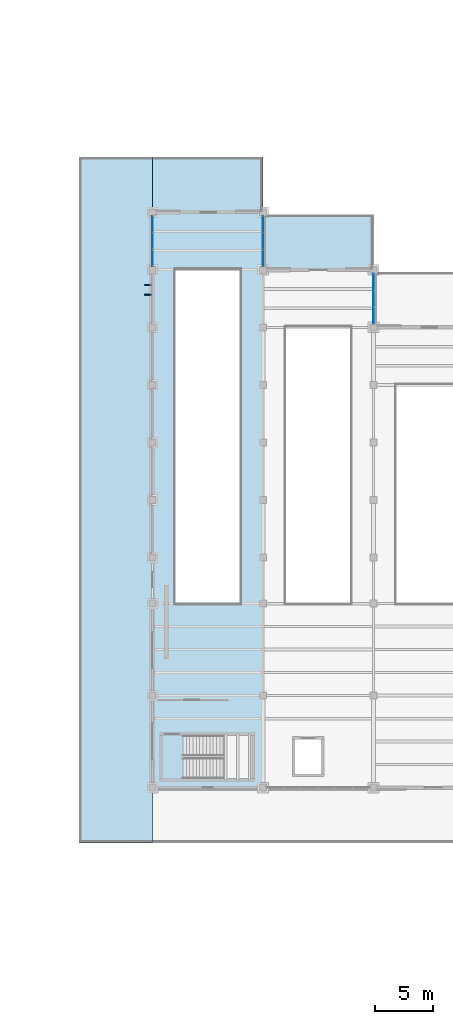
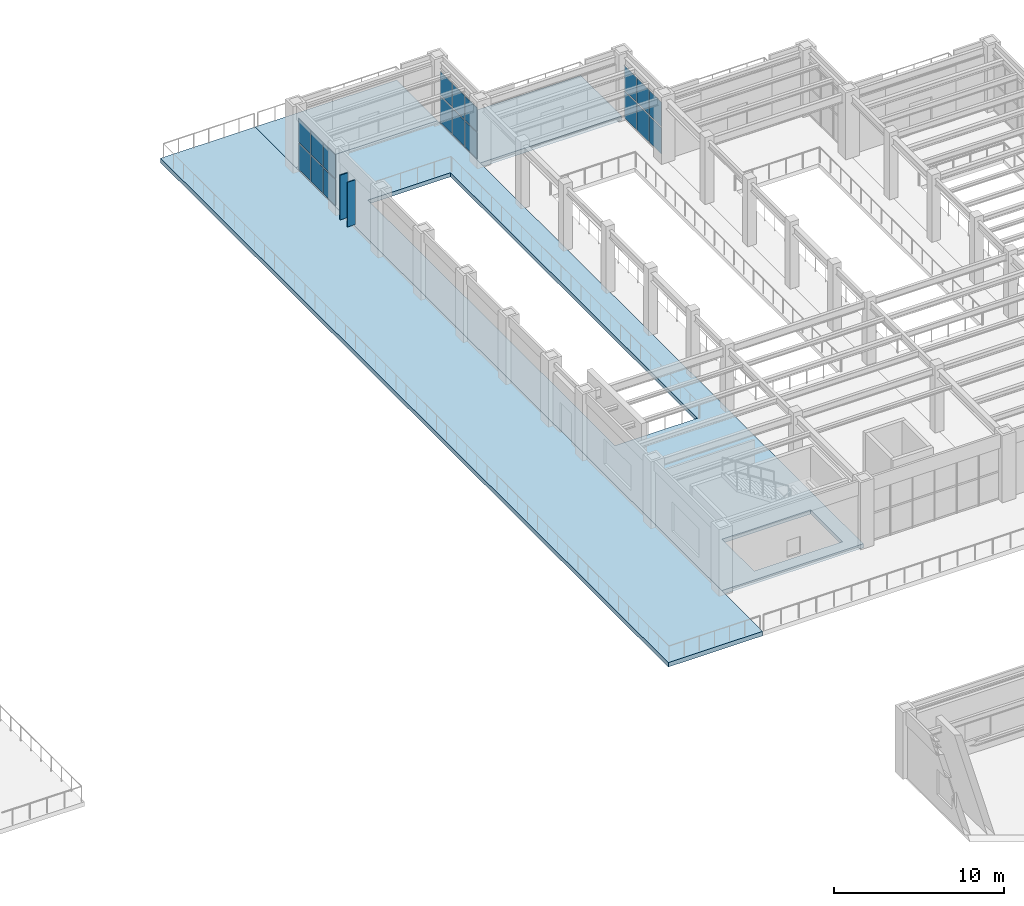
# One storey, part 52 of 83: 20 plates, 4 slabs, 3 elements without a shape of their own.
"""IFC4 building model written with IfcOpenShell, lengths in metres."""

from ifc_helpers import new_model, si_unit, direction, frame, origin, origin_2d, place, context, subcontext, project, spatial, polyline, rectangle, outline, extrude, material, layer, layer_set, type_object, element, aggregate, save


model = new_model("IFC4")

# Units and contexts
model_context = context("Model", 3, precision=1e-05, world=origin(), true_north=direction((0.0, 1.0)))
body_context = subcontext(model_context, "Body", "Model", "MODEL_VIEW")
ifc_project = project(units=[si_unit("LENGTHUNIT", "METRE"), si_unit("AREAUNIT", "SQUARE_METRE"), si_unit("VOLUMEUNIT", "CUBIC_METRE"), si_unit("PLANEANGLEUNIT", "RADIAN"), si_unit("MASSUNIT", "GRAM", prefix="KILO")], contexts=[model_context])

# Site, building, storey
site_placement = place(None, origin())
site = spatial("IfcSite", under=ifc_project, at=site_placement, CompositionType="ELEMENT")
building_placement = place(site_placement, origin())
building = spatial("IfcBuilding", under=site, at=building_placement, Name="Mavantir Sound Aquarium", CompositionType="ELEMENT")
storey_placement = place(building_placement, frame((0.0, 0.0, 10.5)))
storey = spatial("IfcBuildingStorey", under=building, at=storey_placement, Name="L02", CompositionType="ELEMENT", Elevation=10.5)

# Curtain wall, plates
ifc_material_1 = material(Name="Anodised Marine Aluminium and Low-E Glass", Category="aluminium")
curtain_wall_type_1 = type_object("IfcCurtainWallType", Name="CW-T11", PredefinedType="USERDEFINED", material=ifc_material_1)
curtain_wall_1_placement = place(storey_placement, origin())
curtain_wall_1 = element("IfcCurtainWall", 1, at=curtain_wall_1_placement, inside=storey, type_object=curtain_wall_type_1, Name="L02 unitised curtain wall CW-11 131", ObjectType="UNITISED GLAZING", PredefinedType="USERDEFINED")
ifc_material_2 = material(Name="Solar-Control Laminated Low-E Glass", Category="glass")
ifc_layer_1 = layer(ifc_material_2, 0.028076171875, Name="Solar-Control Laminated Low-E Glass")
ifc_layer_set_1 = layer_set([ifc_layer_1], Name="Solar-Control Laminated Low-E Glass")
plate_type_1 = type_object("IfcPlateType", Name="CW-PNL-28", PredefinedType="CURTAIN_PANEL", material=ifc_layer_set_1)
plate_1_placement = place(storey_placement, frame((127.199951171875, 81.838623046875, 0.10302734375), z_axis=(0.0, 0.0, 1.0), x_axis=(0.0, 1.0, 0.0)))
plate_1 = element("IfcPlate", 2, at=plate_1_placement, type_object=plate_type_1, Name="CW-L02-131 glazed curtain panel 1.1", PredefinedType="CURTAIN_PANEL", context=body_context, shape_type="SweptSolid", body=[
    extrude(rectangle(XDim=1.413330078125, YDim=0.028076171875, at=origin_2d()), origin(), (0.0, 0.0, 1.0), 1.88330078125),
])
plate_2_placement = place(storey_placement, frame((127.199951171875, 81.838623046875, 2.08203125), z_axis=(0.0, 0.0, 1.0), x_axis=(0.0, 1.0, 0.0)))
plate_2 = element("IfcPlate", 3, at=plate_2_placement, type_object=plate_type_1, Name="CW-L02-131 glazed curtain panel 1.2", PredefinedType="CURTAIN_PANEL", context=body_context, shape_type="SweptSolid", body=[
    extrude(rectangle(XDim=1.413330078125, YDim=0.028076171875, at=origin_2d()), origin(), (0.0, 0.0, 1.0), 1.726806640625),
])
plate_3_placement = place(storey_placement, frame((127.199951171875, 83.300048828125, 0.10302734375), z_axis=(0.0, 0.0, 1.0), x_axis=(0.0, 1.0, 0.0)))
plate_3 = element("IfcPlate", 4, at=plate_3_placement, type_object=plate_type_1, Name="CW-L02-131 glazed curtain panel 2.1", PredefinedType="CURTAIN_PANEL", context=body_context, shape_type="SweptSolid", body=[
    extrude(rectangle(XDim=1.413330078125, YDim=0.028076171875, at=origin_2d()), origin(), (0.0, 0.0, 1.0), 1.88330078125),
])
plate_4_placement = place(storey_placement, frame((127.199951171875, 83.300048828125, 2.08203125), z_axis=(0.0, 0.0, 1.0), x_axis=(0.0, 1.0, 0.0)))
plate_4 = element("IfcPlate", 5, at=plate_4_placement, type_object=plate_type_1, Name="CW-L02-131 glazed curtain panel 2.2", PredefinedType="CURTAIN_PANEL", context=body_context, shape_type="SweptSolid", body=[
    extrude(rectangle(XDim=1.413330078125, YDim=0.028076171875, at=origin_2d()), origin(), (0.0, 0.0, 1.0), 1.726806640625),
])
plate_5_placement = place(storey_placement, frame((127.199951171875, 84.76123046875, 0.10302734375), z_axis=(0.0, 0.0, 1.0), x_axis=(0.0, 1.0, 0.0)))
plate_5 = element("IfcPlate", 6, at=plate_5_placement, type_object=plate_type_1, Name="CW-L02-131 glazed curtain panel 3.1", PredefinedType="CURTAIN_PANEL", context=body_context, shape_type="SweptSolid", body=[
    extrude(rectangle(XDim=1.413330078125, YDim=0.028076171875, at=origin_2d()), origin(), (0.0, 0.0, 1.0), 1.88330078125),
])
plate_6_placement = place(storey_placement, frame((127.199951171875, 84.76123046875, 2.08203125), z_axis=(0.0, 0.0, 1.0), x_axis=(0.0, 1.0, 0.0)))
plate_6 = element("IfcPlate", 7, at=plate_6_placement, type_object=plate_type_1, Name="CW-L02-131 glazed curtain panel 3.2", PredefinedType="CURTAIN_PANEL", context=body_context, shape_type="SweptSolid", body=[
    extrude(rectangle(XDim=1.413330078125, YDim=0.028076171875, at=origin_2d()), origin(), (0.0, 0.0, 1.0), 1.726806640625),
])
aggregate(curtain_wall_1, [plate_1, plate_2, plate_3, plate_4, plate_5, plate_6])

curtain_wall_type_2 = type_object("IfcCurtainWallType", Name="CW-T13", PredefinedType="USERDEFINED", material=ifc_material_1)
curtain_wall_2_placement = place(storey_placement, origin())
curtain_wall_2 = element("IfcCurtainWall", 8, at=curtain_wall_2_placement, inside=storey, type_object=curtain_wall_type_2, Name="L02 unitised curtain wall CW-13 133", ObjectType="UNITISED GLAZING", PredefinedType="USERDEFINED")
plate_7_placement = place(storey_placement, frame((108.0, 89.76123046875, 0.10302734375), z_axis=(0.0, 0.0, 1.0), x_axis=(0.0, -1.0, 0.0)))
plate_7 = element("IfcPlate", 9, at=plate_7_placement, type_object=plate_type_1, Name="CW-L02-133 glazed curtain panel 1.1", PredefinedType="CURTAIN_PANEL", context=body_context, shape_type="SweptSolid", body=[
    extrude(rectangle(XDim=1.413330078125, YDim=0.028076171875, at=origin_2d()), origin(), (0.0, 0.0, 1.0), 1.847900390625),
])
plate_8_placement = place(storey_placement, frame((108.0, 89.76123046875, 2.046875), z_axis=(0.0, 0.0, 1.0), x_axis=(0.0, -1.0, 0.0)))
plate_8 = element("IfcPlate", 10, at=plate_8_placement, type_object=plate_type_1, Name="CW-L02-133 glazed curtain panel 1.2", PredefinedType="CURTAIN_PANEL", context=body_context, shape_type="SweptSolid", body=[
    extrude(rectangle(XDim=1.413330078125, YDim=0.028076171875, at=origin_2d()), origin(), (0.0, 0.0, 1.0), 1.694091796875),
])
plate_9_placement = place(storey_placement, frame((108.0, 88.300048828125, 0.10302734375), z_axis=(0.0, 0.0, 1.0), x_axis=(0.0, -1.0, 0.0)))
plate_9 = element("IfcPlate", 11, at=plate_9_placement, type_object=plate_type_1, Name="CW-L02-133 glazed curtain panel 2.1", PredefinedType="CURTAIN_PANEL", context=body_context, shape_type="SweptSolid", body=[
    extrude(rectangle(XDim=1.413330078125, YDim=0.028076171875, at=origin_2d()), origin(), (0.0, 0.0, 1.0), 1.847900390625),
])
plate_10_placement = place(storey_placement, frame((108.0, 88.300048828125, 2.046875), z_axis=(0.0, 0.0, 1.0), x_axis=(0.0, -1.0, 0.0)))
plate_10 = element("IfcPlate", 12, at=plate_10_placement, type_object=plate_type_1, Name="CW-L02-133 glazed curtain panel 2.2", PredefinedType="CURTAIN_PANEL", context=body_context, shape_type="SweptSolid", body=[
    extrude(rectangle(XDim=1.413330078125, YDim=0.028076171875, at=origin_2d()), origin(), (0.0, 0.0, 1.0), 1.694091796875),
])
plate_11_placement = place(storey_placement, frame((108.0, 86.838623046875, 0.10302734375), z_axis=(0.0, 0.0, 1.0), x_axis=(0.0, -1.0, 0.0)))
plate_11 = element("IfcPlate", 13, at=plate_11_placement, type_object=plate_type_1, Name="CW-L02-133 glazed curtain panel 3.1", PredefinedType="CURTAIN_PANEL", context=body_context, shape_type="SweptSolid", body=[
    extrude(rectangle(XDim=1.413330078125, YDim=0.028076171875, at=origin_2d()), origin(), (0.0, 0.0, 1.0), 1.847900390625),
])
plate_12_placement = place(storey_placement, frame((108.0, 86.838623046875, 2.046875), z_axis=(0.0, 0.0, 1.0), x_axis=(0.0, -1.0, 0.0)))
plate_12 = element("IfcPlate", 14, at=plate_12_placement, type_object=plate_type_1, Name="CW-L02-133 glazed curtain panel 3.2", PredefinedType="CURTAIN_PANEL", context=body_context, shape_type="SweptSolid", body=[
    extrude(rectangle(XDim=1.413330078125, YDim=0.028076171875, at=origin_2d()), origin(), (0.0, 0.0, 1.0), 1.694091796875),
])
aggregate(curtain_wall_2, [plate_7, plate_8, plate_9, plate_10, plate_11, plate_12])

curtain_wall_type_3 = type_object("IfcCurtainWallType", Name="CW-T12", PredefinedType="USERDEFINED", material=ifc_material_1)
curtain_wall_3_placement = place(storey_placement, origin())
curtain_wall_3 = element("IfcCurtainWall", 15, at=curtain_wall_3_placement, inside=storey, type_object=curtain_wall_type_3, Name="L02 unitised curtain wall CW-12 132", ObjectType="UNITISED GLAZING", PredefinedType="USERDEFINED")
ifc_layer_2 = layer(ifc_material_2, 0.031982421875, Name="Solar-Control Laminated Low-E Glass")
ifc_layer_set_2 = layer_set([ifc_layer_2], Name="Solar-Control Laminated Low-E Glass")
plate_type_2 = type_object("IfcPlateType", Name="CW-PNL-32", PredefinedType="CURTAIN_PANEL", material=ifc_layer_set_2)
plate_13_placement = place(storey_placement, frame((117.60009765625, 86.838623046875, 0.10302734375), z_axis=(0.0, 0.0, 1.0), x_axis=(0.0, 1.0, 0.0)))
plate_13 = element("IfcPlate", 16, at=plate_13_placement, type_object=plate_type_2, Name="CW-L02-132 glazed curtain panel 1.1", PredefinedType="CURTAIN_PANEL", context=body_context, shape_type="SweptSolid", body=[
    extrude(rectangle(XDim=1.413330078125, YDim=0.031982421875, at=origin_2d()), origin(), (0.0, 0.0, 1.0), 1.847900390625),
])
plate_14_placement = place(storey_placement, frame((117.60009765625, 86.838623046875, 2.046875), z_axis=(0.0, 0.0, 1.0), x_axis=(0.0, 1.0, 0.0)))
plate_14 = element("IfcPlate", 17, at=plate_14_placement, type_object=plate_type_2, Name="CW-L02-132 glazed curtain panel 1.2", PredefinedType="CURTAIN_PANEL", context=body_context, shape_type="SweptSolid", body=[
    extrude(rectangle(XDim=1.413330078125, YDim=0.031982421875, at=origin_2d()), origin(), (0.0, 0.0, 1.0), 1.694091796875),
])
plate_15_placement = place(storey_placement, frame((117.60009765625, 88.300048828125, 0.10302734375), z_axis=(0.0, 0.0, 1.0), x_axis=(0.0, 1.0, 0.0)))
plate_15 = element("IfcPlate", 18, at=plate_15_placement, type_object=plate_type_2, Name="CW-L02-132 glazed curtain panel 2.1", PredefinedType="CURTAIN_PANEL", context=body_context, shape_type="SweptSolid", body=[
    extrude(rectangle(XDim=1.413330078125, YDim=0.031982421875, at=origin_2d()), origin(), (0.0, 0.0, 1.0), 1.847900390625),
])
plate_16_placement = place(storey_placement, frame((117.60009765625, 88.300048828125, 2.046875), z_axis=(0.0, 0.0, 1.0), x_axis=(0.0, 1.0, 0.0)))
plate_16 = element("IfcPlate", 19, at=plate_16_placement, type_object=plate_type_2, Name="CW-L02-132 glazed curtain panel 2.2", PredefinedType="CURTAIN_PANEL", context=body_context, shape_type="SweptSolid", body=[
    extrude(rectangle(XDim=1.413330078125, YDim=0.031982421875, at=origin_2d()), origin(), (0.0, 0.0, 1.0), 1.694091796875),
])
plate_17_placement = place(storey_placement, frame((117.60009765625, 89.76123046875, 0.10302734375), z_axis=(0.0, 0.0, 1.0), x_axis=(0.0, 1.0, 0.0)))
plate_17 = element("IfcPlate", 20, at=plate_17_placement, type_object=plate_type_2, Name="CW-L02-132 glazed curtain panel 3.1", PredefinedType="CURTAIN_PANEL", context=body_context, shape_type="SweptSolid", body=[
    extrude(rectangle(XDim=1.413330078125, YDim=0.031982421875, at=origin_2d()), origin(), (0.0, 0.0, 1.0), 1.847900390625),
])
plate_18_placement = place(storey_placement, frame((117.60009765625, 89.76123046875, 2.046875), z_axis=(0.0, 0.0, 1.0), x_axis=(0.0, 1.0, 0.0)))
plate_18 = element("IfcPlate", 21, at=plate_18_placement, type_object=plate_type_2, Name="CW-L02-132 glazed curtain panel 3.2", PredefinedType="CURTAIN_PANEL", context=body_context, shape_type="SweptSolid", body=[
    extrude(rectangle(XDim=1.413330078125, YDim=0.031982421875, at=origin_2d()), origin(), (0.0, 0.0, 1.0), 1.694091796875),
])
aggregate(curtain_wall_3, [plate_13, plate_14, plate_15, plate_16, plate_17, plate_18])

# Plates
ifc_material_3 = material(Name="Coral-Limestone Composite Brise-Soleil Blade", Category="masonry")
ifc_layer_3 = layer(ifc_material_3, 0.06494140625, Name="Coral-Limestone Composite Brise-Soleil Blade")
ifc_layer_set_3 = layer_set([ifc_layer_3], Name="Coral-Limestone Composite Brise-Soleil Blade")
plate_type_3 = type_object("IfcPlateType", Name="PLT-FIN-520", PredefinedType="SHEET", material=ifc_layer_set_3)
for number, where, z_axis, x_axis, name in (
    (22, (107.60498046875, 84.491943359375, 0.322265625), (0.0, 0.0, 1.0), (0.0, 1.0, 0.0), "Tropical coral-stone brise-soleil blade 179"),
    (23, (107.60498046875, 83.64208984375, 0.322265625), (0.0, 0.0, 1.0), (0.0, 1.0, 0.0), "Tropical coral-stone brise-soleil blade 180"),
):
    element("IfcPlate", number, at=place(storey_placement, frame(where, z_axis=z_axis, x_axis=x_axis)), inside=storey, type_object=plate_type_3, Name=name, PredefinedType="SHEET", context=body_context, shape_type="SweptSolid", body=[
        extrude(rectangle(XDim=0.06494140625, YDim=0.5400390625, at=origin_2d()), origin(), (0.0, 0.0, 1.0), 3.199951171875),
    ])

# Slabs
ifc_material_4 = material(Name="Concrete C40/50", Category="concrete")
ifc_layer_4 = layer(ifc_material_4, 0.2900390625, Name="Concrete C40/50")
ifc_layer_set_4 = layer_set([ifc_layer_4], Name="Concrete C40/50")
slab_type_1 = type_object("IfcSlabType", Name="SLB-FS-06", PredefinedType="FLOOR", material=ifc_layer_set_4)
slab_1_placement = place(storey_placement, frame((0.0, 0.0, -0.2900390625)))
element("IfcSlab", 24, at=slab_1_placement, inside=storey, type_object=slab_type_1, Name="L02 structural slab FS-06 (V4)", PredefinedType="FLOOR", context=body_context, shape_type="SweptSolid", body=[
    extrude(outline(polyline([(117.60009765625, 40.800048828125), (117.60009765625, 90.800048828125), (108.0, 90.800048828125), (108.0, 40.800048828125), (117.60009765625, 40.800048828125)]), holes=[polyline([(110.0, 56.800048828125), (115.60009765625, 56.800048828125), (115.60009765625, 85.800048828125), (110.0, 85.800048828125), (110.0, 56.800048828125)]), polyline([(110.64990234375, 41.60009765625), (116.64990234375, 41.60009765625), (116.64990234375, 45.35009765625), (110.64990234375, 45.35009765625), (110.64990234375, 41.60009765625)])]), origin(), (0.0, 0.0, 1.0), 0.2900390625),
])
ifc_layer_5 = layer(ifc_material_4, 0.320068359375, Name="Concrete C40/50")
ifc_layer_set_5 = layer_set([ifc_layer_5], Name="Concrete C40/50")
slab_type_2 = type_object("IfcSlabType", Name="SLB-TRS-02", PredefinedType="FLOOR", material=ifc_layer_set_5)
slab_2_placement = place(storey_placement, frame((0.0, 0.0, -0.320068359375)))
element("IfcSlab", 25, at=slab_2_placement, inside=storey, type_object=slab_type_2, Name="L02 outdoor terrace slab TRS-02", PredefinedType="FLOOR", context=body_context, shape_type="SweptSolid", body=[
    extrude(outline(polyline([(101.60009765625, 36.0), (108.0, 36.0), (108.0, 95.60009765625), (101.60009765625, 95.60009765625), (101.60009765625, 36.0)])), origin(), (0.0, 0.0, 1.0), 0.320068359375),
])
slab_3_placement = place(storey_placement, frame((0.0, 0.0, -0.320068359375)))
element("IfcSlab", 26, at=slab_3_placement, inside=storey, type_object=slab_type_2, Name="L02 outdoor terrace slab TRS-02", PredefinedType="FLOOR", context=body_context, shape_type="SweptSolid", body=[
    extrude(outline(polyline([(108.0, 90.800048828125), (117.60009765625, 90.800048828125), (117.60009765625, 95.60009765625), (108.0, 95.60009765625), (108.0, 90.800048828125)])), origin(), (0.0, 0.0, 1.0), 0.320068359375),
])
slab_4_placement = place(storey_placement, frame((0.0, 0.0, -0.320068359375)))
element("IfcSlab", 27, at=slab_4_placement, inside=storey, type_object=slab_type_2, Name="L02 outdoor terrace slab TRS-02", PredefinedType="FLOOR", context=body_context, shape_type="SweptSolid", body=[
    extrude(outline(polyline([(117.60009765625, 85.800048828125), (127.199951171875, 85.800048828125), (127.199951171875, 90.60009765625), (117.60009765625, 90.60009765625), (117.60009765625, 85.800048828125)])), origin(), (0.0, 0.0, 1.0), 0.320068359375),
])

save(model, "model.ifc")
